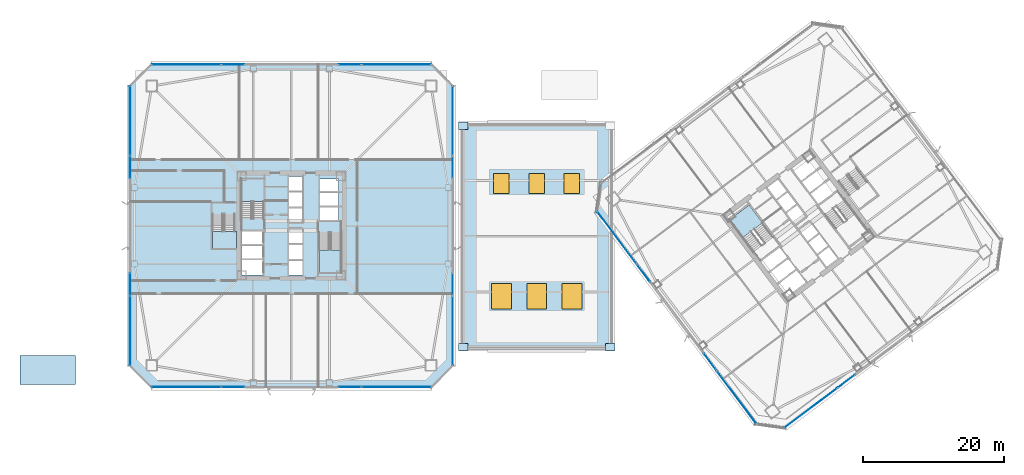
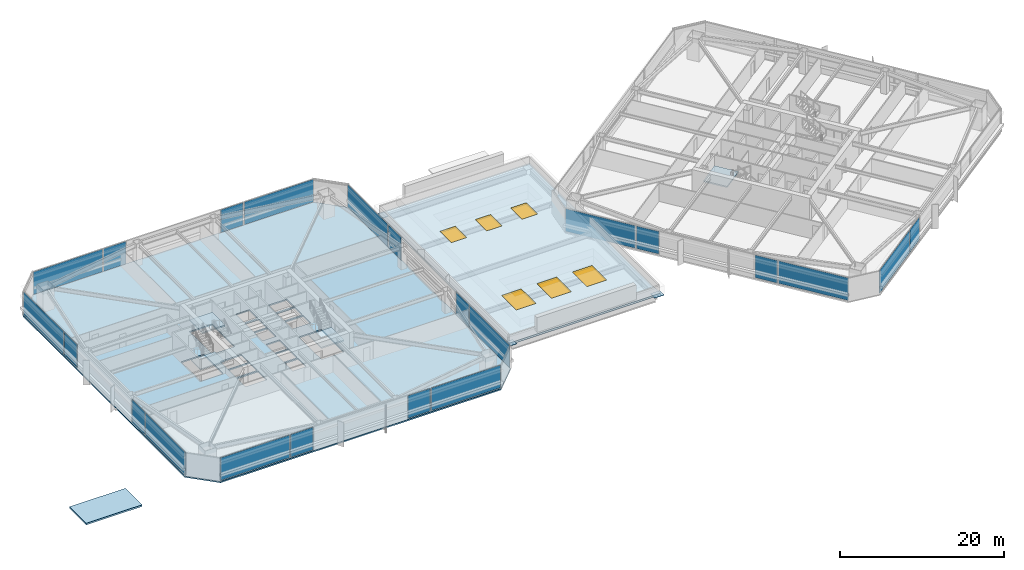
# One storey, part 41 of 62: 25 plates, 7 slabs, 6 windows, 6 openings, 26 elements without a shape of their own.
"""IFC4 building model written with IfcOpenShell, lengths in metres."""

from ifc_helpers import new_model, si_unit, direction, frame, origin, origin_2d, place, context, subcontext, project, spatial, polyline, rectangle, outline, extrude, material, layer, layer_set, type_object, element, fill, aggregate, save


model = new_model("IFC4")

# Units and contexts
model_context = context("Model", 3, precision=1e-05, world=origin(), true_north=direction((0.0, 1.0)))
body_context = subcontext(model_context, "Body", "Model", "MODEL_VIEW")
ifc_project = project(units=[si_unit("LENGTHUNIT", "METRE"), si_unit("AREAUNIT", "SQUARE_METRE"), si_unit("VOLUMEUNIT", "CUBIC_METRE"), si_unit("PLANEANGLEUNIT", "RADIAN"), si_unit("MASSUNIT", "GRAM", prefix="KILO")], contexts=[model_context])

# Site, building, storey
site_placement = place(None, origin())
site = spatial("IfcSite", under=ifc_project, at=site_placement, CompositionType="ELEMENT")
building_placement = place(site_placement, origin())
building = spatial("IfcBuilding", under=site, at=building_placement, Name="Tashvorn Skyway Center", CompositionType="ELEMENT")
storey_placement = place(building_placement, frame((0.0, 0.0, 28.14990234375)))
storey = spatial("IfcBuildingStorey", under=building, at=storey_placement, Name="L06", CompositionType="ELEMENT", Elevation=28.14990234375)

# Curtain wall, plate
ifc_material_1 = material(Name="Thermally broken bronze-anodized aluminium 6063-T6", Category="aluminium")
curtain_wall_type = type_object("IfcCurtainWallType", Name="CW-CW-Z1", PredefinedType="NOTDEFINED", material=ifc_material_1)
curtain_wall_1_placement = place(storey_placement, origin())
curtain_wall_1 = element("IfcCurtainWall", 1, at=curtain_wall_1_placement, inside=storey, type_object=curtain_wall_type, Name="Tower 1 L06 South Unitised Curtain Wall Glazing Group 1", PredefinedType="NOTDEFINED")
ifc_material_2 = material(Name="Low-E solar-control double insulating safety glass", Category="glass")
ifc_layer_1 = layer(ifc_material_2, 0.048095703125)
ifc_layer_set_1 = layer_set([ifc_layer_1], Name="Low-E solar-control double insulating safety glass")
plate_type_1 = type_object("IfcPlateType", Name="CWP-CW-Z1", PredefinedType="CURTAIN_PANEL", material=ifc_layer_set_1)
plate_1_placement = place(storey_placement, frame((56.909912109375, 9.1201171875, 0.085205078125), z_axis=(0.0, 0.0, 1.0), x_axis=(-1.0, 0.0, 0.0)))
plate_1 = element("IfcPlate", 2, at=plate_1_placement, type_object=plate_type_1, Name="CW-Z1 panel 1.1", PredefinedType="CURTAIN_PANEL", context=body_context, shape_type="SweptSolid", body=[
    extrude(rectangle(XDim=9.77001953125, YDim=0.048095703125, at=origin_2d()), origin(), (0.0, 0.0, 1.0), 3.3798828125),
])
aggregate(curtain_wall_1, [plate_1])

curtain_wall_2_placement = place(storey_placement, origin())
curtain_wall_2 = element("IfcCurtainWall", 3, at=curtain_wall_2_placement, inside=storey, type_object=curtain_wall_type, Name="Tower 1 L06 South Unitised Curtain Wall Glazing Group 2", PredefinedType="NOTDEFINED")
plate_2_placement = place(storey_placement, frame((50.283447265625, 9.1201171875, 0.085205078125), z_axis=(0.0, 0.0, 1.0), x_axis=(-1.0, 0.0, 0.0)))
plate_2 = element("IfcPlate", 4, at=plate_2_placement, type_object=plate_type_1, Name="CW-Z1 panel 1.1", PredefinedType="CURTAIN_PANEL", context=body_context, shape_type="SweptSolid", body=[
    extrude(rectangle(XDim=3.143310546875, YDim=0.048095703125, at=origin_2d()), origin(), (0.0, 0.0, 1.0), 3.3798828125),
])
aggregate(curtain_wall_2, [plate_2])

curtain_wall_3_placement = place(storey_placement, origin())
curtain_wall_3 = element("IfcCurtainWall", 5, at=curtain_wall_3_placement, inside=storey, type_object=curtain_wall_type, Name="Tower 1 L06 South Unitised Curtain Wall Glazing Group 3", PredefinedType="NOTDEFINED")
plate_3_placement = place(storey_placement, frame((33.716552734375, 9.1201171875, 0.085205078125), z_axis=(0.0, 0.0, 1.0), x_axis=(-1.0, 0.0, 0.0)))
plate_3 = element("IfcPlate", 6, at=plate_3_placement, type_object=plate_type_1, Name="CW-Z1 panel 1.1", PredefinedType="CURTAIN_PANEL", context=body_context, shape_type="SweptSolid", body=[
    extrude(rectangle(XDim=3.143310546875, YDim=0.048095703125, at=origin_2d()), origin(), (0.0, 0.0, 1.0), 3.3798828125),
])
aggregate(curtain_wall_3, [plate_3])

curtain_wall_4_placement = place(storey_placement, origin())
curtain_wall_4 = element("IfcCurtainWall", 7, at=curtain_wall_4_placement, inside=storey, type_object=curtain_wall_type, Name="Tower 1 L06 South Unitised Curtain Wall Glazing Group 4", PredefinedType="NOTDEFINED")
plate_4_placement = place(storey_placement, frame((27.090087890625, 9.1201171875, 0.085205078125), z_axis=(0.0, 0.0, 1.0), x_axis=(-1.0, 0.0, 0.0)))
plate_4 = element("IfcPlate", 8, at=plate_4_placement, type_object=plate_type_1, Name="CW-Z1 panel 1.1", PredefinedType="CURTAIN_PANEL", context=body_context, shape_type="SweptSolid", body=[
    extrude(rectangle(XDim=9.77001953125, YDim=0.048095703125, at=origin_2d()), origin(), (0.0, 0.0, 1.0), 3.3798828125),
])
aggregate(curtain_wall_4, [plate_4])

curtain_wall_5_placement = place(storey_placement, origin())
curtain_wall_5 = element("IfcCurtainWall", 9, at=curtain_wall_5_placement, inside=storey, type_object=curtain_wall_type, Name="Tower 1 L06 West Unitised Curtain Wall Glazing Group 1", PredefinedType="NOTDEFINED")
plate_5_placement = place(storey_placement, frame((19.1201171875, 17.090087890625, 0.085205078125), z_axis=(0.0, 0.0, 1.0), x_axis=(0.0, 1.0, 0.0)))
plate_5 = element("IfcPlate", 10, at=plate_5_placement, type_object=plate_type_1, Name="CW-Z1 panel 1.1", PredefinedType="CURTAIN_PANEL", context=body_context, shape_type="SweptSolid", body=[
    extrude(rectangle(XDim=9.77001953125, YDim=0.048095703125, at=origin_2d()), origin(), (0.0, 0.0, 1.0), 3.3798828125),
])
aggregate(curtain_wall_5, [plate_5])

curtain_wall_6_placement = place(storey_placement, origin())
curtain_wall_6 = element("IfcCurtainWall", 11, at=curtain_wall_6_placement, inside=storey, type_object=curtain_wall_type, Name="Tower 1 L06 West Unitised Curtain Wall Glazing Group 2", PredefinedType="NOTDEFINED")
plate_6_placement = place(storey_placement, frame((19.1201171875, 23.716552734375, 0.085205078125), z_axis=(0.0, 0.0, 1.0), x_axis=(0.0, 1.0, 0.0)))
plate_6 = element("IfcPlate", 12, at=plate_6_placement, type_object=plate_type_1, Name="CW-Z1 panel 1.1", PredefinedType="CURTAIN_PANEL", context=body_context, shape_type="SweptSolid", body=[
    extrude(rectangle(XDim=3.143310546875, YDim=0.048095703125, at=origin_2d()), origin(), (0.0, 0.0, 1.0), 3.3798828125),
])
aggregate(curtain_wall_6, [plate_6])

curtain_wall_7_placement = place(storey_placement, origin())
curtain_wall_7 = element("IfcCurtainWall", 13, at=curtain_wall_7_placement, inside=storey, type_object=curtain_wall_type, Name="Tower 1 L06 West Unitised Curtain Wall Glazing Group 3", PredefinedType="NOTDEFINED")
plate_7_placement = place(storey_placement, frame((19.1201171875, 40.283447265625, 0.085205078125), z_axis=(0.0, 0.0, 1.0), x_axis=(0.0, 1.0, 0.0)))
plate_7 = element("IfcPlate", 14, at=plate_7_placement, type_object=plate_type_1, Name="CW-Z1 panel 1.1", PredefinedType="CURTAIN_PANEL", context=body_context, shape_type="SweptSolid", body=[
    extrude(rectangle(XDim=3.143310546875, YDim=0.048095703125, at=origin_2d()), origin(), (0.0, 0.0, 1.0), 3.3798828125),
])
aggregate(curtain_wall_7, [plate_7])

curtain_wall_8_placement = place(storey_placement, origin())
curtain_wall_8 = element("IfcCurtainWall", 15, at=curtain_wall_8_placement, inside=storey, type_object=curtain_wall_type, Name="Tower 1 L06 West Unitised Curtain Wall Glazing Group 4", PredefinedType="NOTDEFINED")
plate_8_placement = place(storey_placement, frame((19.1201171875, 46.909912109375, 0.085205078125), z_axis=(0.0, 0.0, 1.0), x_axis=(0.0, 1.0, 0.0)))
plate_8 = element("IfcPlate", 16, at=plate_8_placement, type_object=plate_type_1, Name="CW-Z1 panel 1.1", PredefinedType="CURTAIN_PANEL", context=body_context, shape_type="SweptSolid", body=[
    extrude(rectangle(XDim=9.77001953125, YDim=0.048095703125, at=origin_2d()), origin(), (0.0, 0.0, 1.0), 3.3798828125),
])
aggregate(curtain_wall_8, [plate_8])

curtain_wall_9_placement = place(storey_placement, origin())
curtain_wall_9 = element("IfcCurtainWall", 17, at=curtain_wall_9_placement, inside=storey, type_object=curtain_wall_type, Name="Tower 1 L06 North Unitised Curtain Wall Glazing Group 1", PredefinedType="NOTDEFINED")
plate_9_placement = place(storey_placement, frame((27.090087890625, 54.8798828125, 0.085205078125), z_axis=(0.0, 0.0, 1.0), x_axis=(1.0, 0.0, 0.0)))
plate_9 = element("IfcPlate", 18, at=plate_9_placement, type_object=plate_type_1, Name="CW-Z1 panel 1.1", PredefinedType="CURTAIN_PANEL", context=body_context, shape_type="SweptSolid", body=[
    extrude(rectangle(XDim=9.77001953125, YDim=0.048095703125, at=origin_2d()), origin(), (0.0, 0.0, 1.0), 3.3798828125),
])
aggregate(curtain_wall_9, [plate_9])

curtain_wall_10_placement = place(storey_placement, origin())
curtain_wall_10 = element("IfcCurtainWall", 19, at=curtain_wall_10_placement, inside=storey, type_object=curtain_wall_type, Name="Tower 1 L06 North Unitised Curtain Wall Glazing Group 2", PredefinedType="NOTDEFINED")
plate_10_placement = place(storey_placement, frame((33.716552734375, 54.8798828125, 0.085205078125), z_axis=(0.0, 0.0, 1.0), x_axis=(1.0, 0.0, 0.0)))
plate_10 = element("IfcPlate", 20, at=plate_10_placement, type_object=plate_type_1, Name="CW-Z1 panel 1.1", PredefinedType="CURTAIN_PANEL", context=body_context, shape_type="SweptSolid", body=[
    extrude(rectangle(XDim=3.143310546875, YDim=0.048095703125, at=origin_2d()), origin(), (0.0, 0.0, 1.0), 3.3798828125),
])
aggregate(curtain_wall_10, [plate_10])

curtain_wall_11_placement = place(storey_placement, origin())
curtain_wall_11 = element("IfcCurtainWall", 21, at=curtain_wall_11_placement, inside=storey, type_object=curtain_wall_type, Name="Tower 1 L06 North Unitised Curtain Wall Glazing Group 3", PredefinedType="NOTDEFINED")
plate_11_placement = place(storey_placement, frame((50.283447265625, 54.8798828125, 0.085205078125), z_axis=(0.0, 0.0, 1.0), x_axis=(1.0, 0.0, 0.0)))
plate_11 = element("IfcPlate", 22, at=plate_11_placement, type_object=plate_type_1, Name="CW-Z1 panel 1.1", PredefinedType="CURTAIN_PANEL", context=body_context, shape_type="SweptSolid", body=[
    extrude(rectangle(XDim=3.143310546875, YDim=0.048095703125, at=origin_2d()), origin(), (0.0, 0.0, 1.0), 3.3798828125),
])
aggregate(curtain_wall_11, [plate_11])

curtain_wall_12_placement = place(storey_placement, origin())
curtain_wall_12 = element("IfcCurtainWall", 23, at=curtain_wall_12_placement, inside=storey, type_object=curtain_wall_type, Name="Tower 1 L06 North Unitised Curtain Wall Glazing Group 4", PredefinedType="NOTDEFINED")
plate_12_placement = place(storey_placement, frame((56.909912109375, 54.8798828125, 0.085205078125), z_axis=(0.0, 0.0, 1.0), x_axis=(1.0, 0.0, 0.0)))
plate_12 = element("IfcPlate", 24, at=plate_12_placement, type_object=plate_type_1, Name="CW-Z1 panel 1.1", PredefinedType="CURTAIN_PANEL", context=body_context, shape_type="SweptSolid", body=[
    extrude(rectangle(XDim=9.77001953125, YDim=0.048095703125, at=origin_2d()), origin(), (0.0, 0.0, 1.0), 3.3798828125),
])
aggregate(curtain_wall_12, [plate_12])

curtain_wall_13_placement = place(storey_placement, origin())
curtain_wall_13 = element("IfcCurtainWall", 25, at=curtain_wall_13_placement, inside=storey, type_object=curtain_wall_type, Name="Tower 1 L06 East Unitised Curtain Wall Glazing Group 1", PredefinedType="NOTDEFINED")
plate_13_placement = place(storey_placement, frame((64.8798828125, 46.909912109375, 0.085205078125), z_axis=(0.0, 0.0, 1.0), x_axis=(0.0, -1.0, 0.0)))
plate_13 = element("IfcPlate", 26, at=plate_13_placement, type_object=plate_type_1, Name="CW-Z1 panel 1.1", PredefinedType="CURTAIN_PANEL", context=body_context, shape_type="SweptSolid", body=[
    extrude(rectangle(XDim=9.77001953125, YDim=0.048095703125, at=origin_2d()), origin(), (0.0, 0.0, 1.0), 3.3798828125),
])
aggregate(curtain_wall_13, [plate_13])

curtain_wall_14_placement = place(storey_placement, origin())
curtain_wall_14 = element("IfcCurtainWall", 27, at=curtain_wall_14_placement, inside=storey, type_object=curtain_wall_type, Name="Tower 1 L06 East Unitised Curtain Wall Glazing Group 2", PredefinedType="NOTDEFINED")
plate_14_placement = place(storey_placement, frame((64.8798828125, 40.283447265625, 0.085205078125), z_axis=(0.0, 0.0, 1.0), x_axis=(0.0, -1.0, 0.0)))
plate_14 = element("IfcPlate", 28, at=plate_14_placement, type_object=plate_type_1, Name="CW-Z1 panel 1.1", PredefinedType="CURTAIN_PANEL", context=body_context, shape_type="SweptSolid", body=[
    extrude(rectangle(XDim=3.143310546875, YDim=0.048095703125, at=origin_2d()), origin(), (0.0, 0.0, 1.0), 3.3798828125),
])
aggregate(curtain_wall_14, [plate_14])

curtain_wall_15_placement = place(storey_placement, origin())
curtain_wall_15 = element("IfcCurtainWall", 29, at=curtain_wall_15_placement, inside=storey, type_object=curtain_wall_type, Name="Tower 1 L06 East Unitised Curtain Wall Glazing Group 3", PredefinedType="NOTDEFINED")
plate_15_placement = place(storey_placement, frame((64.8798828125, 23.716552734375, 0.085205078125), z_axis=(0.0, 0.0, 1.0), x_axis=(0.0, -1.0, 0.0)))
plate_15 = element("IfcPlate", 30, at=plate_15_placement, type_object=plate_type_1, Name="CW-Z1 panel 1.1", PredefinedType="CURTAIN_PANEL", context=body_context, shape_type="SweptSolid", body=[
    extrude(rectangle(XDim=3.143310546875, YDim=0.048095703125, at=origin_2d()), origin(), (0.0, 0.0, 1.0), 3.3798828125),
])
aggregate(curtain_wall_15, [plate_15])

curtain_wall_16_placement = place(storey_placement, origin())
curtain_wall_16 = element("IfcCurtainWall", 31, at=curtain_wall_16_placement, inside=storey, type_object=curtain_wall_type, Name="Tower 1 L06 East Unitised Curtain Wall Glazing Group 4", PredefinedType="NOTDEFINED")
plate_16_placement = place(storey_placement, frame((64.8798828125, 17.090087890625, 0.085205078125), z_axis=(0.0, 0.0, 1.0), x_axis=(0.0, -1.0, 0.0)))
plate_16 = element("IfcPlate", 32, at=plate_16_placement, type_object=plate_type_1, Name="CW-Z1 panel 1.1", PredefinedType="CURTAIN_PANEL", context=body_context, shape_type="SweptSolid", body=[
    extrude(rectangle(XDim=9.77001953125, YDim=0.048095703125, at=origin_2d()), origin(), (0.0, 0.0, 1.0), 3.3798828125),
])
aggregate(curtain_wall_16, [plate_16])

curtain_wall_17_placement = place(storey_placement, origin())
curtain_wall_17 = element("IfcCurtainWall", 33, at=curtain_wall_17_placement, inside=storey, type_object=curtain_wall_type, Name="Tower 2 L06 South Unitised Curtain Wall Glazing Group 3", PredefinedType="NOTDEFINED")
plate_17_placement = place(storey_placement, frame((120.714599609375, 9.93603515625, 0.085205078125), z_axis=(0.0, 0.0, 1.0), x_axis=(-0.799996186392, -0.600005084776, 0.0)))
plate_17 = element("IfcPlate", 34, at=plate_17_placement, type_object=plate_type_1, Name="CW-Z1 panel 1.1", PredefinedType="CURTAIN_PANEL", context=body_context, shape_type="SweptSolid", body=[
    extrude(rectangle(XDim=2.9765625, YDim=0.048095703125, at=origin_2d()), origin(), (0.0, 0.0, 1.0), 3.3798828125),
])
aggregate(curtain_wall_17, [plate_17])

curtain_wall_18_placement = place(storey_placement, origin())
curtain_wall_18 = element("IfcCurtainWall", 35, at=curtain_wall_18_placement, inside=storey, type_object=curtain_wall_type, Name="Tower 2 L06 South Unitised Curtain Wall Glazing Group 4", PredefinedType="NOTDEFINED")
plate_18_placement = place(storey_placement, frame((115.679931640625, 6.159912109375, 0.085205078125), z_axis=(0.0, 0.0, 1.0), x_axis=(-0.799999999998, -0.600000000002, 0.0)))
plate_18 = element("IfcPlate", 36, at=plate_18_placement, type_object=plate_type_1, Name="CW-Z1 panel 1.1", PredefinedType="CURTAIN_PANEL", context=body_context, shape_type="SweptSolid", body=[
    extrude(rectangle(XDim=9.27001953125, YDim=0.048095703125, at=origin_2d()), origin(), (0.0, 0.0, 1.0), 3.3798828125),
])
aggregate(curtain_wall_18, [plate_18])

curtain_wall_19_placement = place(storey_placement, origin())
curtain_wall_19 = element("IfcCurtainWall", 37, at=curtain_wall_19_placement, inside=storey, type_object=curtain_wall_type, Name="Tower 2 L06 West Unitised Curtain Wall Glazing Group 1", PredefinedType="NOTDEFINED")
plate_19_placement = place(storey_placement, frame((105.152099609375, 7.6640625, 0.085205078125), z_axis=(0.0, 0.0, 1.0), x_axis=(-0.600000000002, 0.799999999998, 0.0)))
plate_19 = element("IfcPlate", 38, at=plate_19_placement, type_object=plate_type_1, Name="CW-Z1 panel 1.1", PredefinedType="CURTAIN_PANEL", context=body_context, shape_type="SweptSolid", body=[
    extrude(rectangle(XDim=9.27001953125, YDim=0.048095703125, at=origin_2d()), origin(), (0.0, 0.0, 1.0), 3.3798828125),
])
aggregate(curtain_wall_19, [plate_19])

curtain_wall_20_placement = place(storey_placement, origin())
curtain_wall_20 = element("IfcCurtainWall", 39, at=curtain_wall_20_placement, inside=storey, type_object=curtain_wall_type, Name="Tower 2 L06 West Unitised Curtain Wall Glazing Group 2", PredefinedType="NOTDEFINED")
plate_20_placement = place(storey_placement, frame((101.3759765625, 12.69873046875, 0.085205078125), z_axis=(0.0, 0.0, 1.0), x_axis=(-0.600005084776, 0.799996186392, 0.0)))
plate_20 = element("IfcPlate", 40, at=plate_20_placement, type_object=plate_type_1, Name="CW-Z1 panel 1.1", PredefinedType="CURTAIN_PANEL", context=body_context, shape_type="SweptSolid", body=[
    extrude(rectangle(XDim=2.9765625, YDim=0.048095703125, at=origin_2d()), origin(), (0.0, 0.0, 1.0), 3.3798828125),
])
aggregate(curtain_wall_20, [plate_20])

curtain_wall_21_placement = place(storey_placement, origin())
curtain_wall_21 = element("IfcCurtainWall", 41, at=curtain_wall_21_placement, inside=storey, type_object=curtain_wall_type, Name="Tower 2 L06 West Unitised Curtain Wall Glazing Group 3", PredefinedType="NOTDEFINED")
plate_21_placement = place(storey_placement, frame((91.93603515625, 25.285400390625, 0.085205078125), z_axis=(0.0, 0.0, 1.0), x_axis=(-0.600005084776, 0.799996186392, 0.0)))
plate_21 = element("IfcPlate", 42, at=plate_21_placement, type_object=plate_type_1, Name="CW-Z1 panel 1.1", PredefinedType="CURTAIN_PANEL", context=body_context, shape_type="SweptSolid", body=[
    extrude(rectangle(XDim=2.9765625, YDim=0.048095703125, at=origin_2d()), origin(), (0.0, 0.0, 1.0), 3.3798828125),
])
aggregate(curtain_wall_21, [plate_21])

curtain_wall_22_placement = place(storey_placement, origin())
curtain_wall_22 = element("IfcCurtainWall", 43, at=curtain_wall_22_placement, inside=storey, type_object=curtain_wall_type, Name="Tower 2 L06 West Unitised Curtain Wall Glazing Group 4", PredefinedType="NOTDEFINED")
plate_22_placement = place(storey_placement, frame((88.159912109375, 30.320068359375, 0.085205078125), z_axis=(0.0, 0.0, 1.0), x_axis=(-0.600000000002, 0.799999999998, 0.0)))
plate_22 = element("IfcPlate", 44, at=plate_22_placement, type_object=plate_type_1, Name="CW-Z1 panel 1.1", PredefinedType="CURTAIN_PANEL", context=body_context, shape_type="SweptSolid", body=[
    extrude(rectangle(XDim=9.27001953125, YDim=0.048095703125, at=origin_2d()), origin(), (0.0, 0.0, 1.0), 3.3798828125),
])
aggregate(curtain_wall_22, [plate_22])

# Plates
ifc_material_3 = material(Name="Steel ASTM A572 Grade 50", Category="steel")
ifc_layer_2 = layer(ifc_material_3, 0.050048828125)
ifc_layer_set_2 = layer_set([ifc_layer_2], Name="Steel ASTM A572 Grade 50")
plate_type_2 = type_object("IfcPlateType", Name="PLT-ENDCAP-900", PredefinedType="USERDEFINED", material=ifc_layer_set_2)
for number, where, z_axis, x_axis, name in (
    (45, (66.39990234375, 14.800048828125, 1.64013671875), (0.0, 0.0, 1.0), (1.0, 0.0, 0.0), "Monitor Column Cap Plate 1-1"),
    (46, (66.39990234375, 46.199951171875, 1.64013671875), (0.0, 0.0, 1.0), (1.0, 0.0, 0.0), "Monitor Column Cap Plate 1-2"),
    (47, (87.199951171875, 14.800048828125, 1.64013671875), (0.0, 0.0, 1.0), (1.0, 0.0, 0.0), "Monitor Column Cap Plate 2-1"),
):
    element("IfcPlate", number, at=place(storey_placement, frame(where, z_axis=z_axis, x_axis=x_axis)), inside=storey, type_object=plate_type_2, Name=name, ObjectType="END PLATE", PredefinedType="USERDEFINED", context=body_context, shape_type="SweptSolid", body=[
        extrude(rectangle(XDim=1.35009765625, YDim=1.050048828125, at=origin_2d()), origin(), (0.0, 0.0, 1.0), 0.050048828125),
    ])

# Slab
ifc_material_4 = material(Name="Concrete C40/50", Category="concrete")
ifc_layer_3 = layer(ifc_material_4, 0.199951171875)
ifc_layer_set_3 = layer_set([ifc_layer_3], Name="Concrete C40/50")
slab_type_1 = type_object("IfcSlabType", Name="SLAB-FLR-200", PredefinedType="FLOOR", material=ifc_layer_set_3)
slab_1_placement = place(storey_placement, frame((0.0, 0.0, -0.199951171875)))
element("IfcSlab", 48, at=slab_1_placement, inside=storey, type_object=slab_type_1, Name="Tower 1 L06 Composite Floor Slab", PredefinedType="FLOOR", context=body_context, shape_type="SweptSolid", body=[
    extrude(outline(polyline([(22.199951171875, 9.0), (61.800048828125, 9.0), (65.0, 12.199951171875), (65.0, 51.800048828125), (61.800048828125, 55.0), (22.199951171875, 55.0), (19.0, 51.800048828125), (19.0, 12.199951171875), (22.199951171875, 9.0)]), holes=[polyline([(38.10009765625, 33.080078125), (38.10009765625, 38.60009765625), (34.89990234375, 38.60009765625), (34.89990234375, 33.080078125), (38.10009765625, 33.080078125)]), polyline([(45.89990234375, 30.919921875), (45.89990234375, 25.39990234375), (49.10009765625, 25.39990234375), (49.10009765625, 30.919921875), (45.89990234375, 30.919921875)]), polyline([(30.800048828125, 33.52001953125), (30.800048828125, 28.800048828125), (34.0, 28.800048828125), (34.0, 33.52001953125), (30.800048828125, 33.52001953125)]), polyline([(34.949951171875, 29.35009765625), (37.949951171875, 29.35009765625), (37.949951171875, 31.199951171875), (34.949951171875, 31.199951171875), (34.949951171875, 29.35009765625)]), polyline([(34.949951171875, 27.35009765625), (37.949951171875, 27.35009765625), (37.949951171875, 29.199951171875), (34.949951171875, 29.199951171875), (34.949951171875, 27.35009765625)]), polyline([(34.949951171875, 25.0), (37.949951171875, 25.0), (37.949951171875, 27.14990234375), (34.949951171875, 27.14990234375), (34.949951171875, 25.0)]), polyline([(41.64990234375, 25.0), (43.550048828125, 25.0), (43.550048828125, 27.050048828125), (41.64990234375, 27.050048828125), (41.64990234375, 25.0)]), polyline([(41.64990234375, 27.25), (43.550048828125, 27.25), (43.550048828125, 29.300048828125), (41.64990234375, 29.300048828125), (41.64990234375, 27.25)]), polyline([(41.64990234375, 29.5), (43.550048828125, 29.5), (43.550048828125, 31.550048828125), (41.64990234375, 31.550048828125), (41.64990234375, 29.5)]), polyline([(41.64990234375, 32.449951171875), (43.550048828125, 32.449951171875), (43.550048828125, 34.5), (41.64990234375, 34.5), (41.64990234375, 32.449951171875)]), polyline([(41.64990234375, 34.699951171875), (43.550048828125, 34.699951171875), (43.550048828125, 36.75), (41.64990234375, 36.75), (41.64990234375, 34.699951171875)]), polyline([(41.64990234375, 36.949951171875), (43.550048828125, 36.949951171875), (43.550048828125, 39.0), (41.64990234375, 39.0), (41.64990234375, 36.949951171875)]), polyline([(46.050048828125, 32.800048828125), (48.64990234375, 32.800048828125), (48.64990234375, 34.64990234375), (46.050048828125, 34.64990234375), (46.050048828125, 32.800048828125)]), polyline([(46.050048828125, 34.85009765625), (48.64990234375, 34.85009765625), (48.64990234375, 36.699951171875), (46.050048828125, 36.699951171875), (46.050048828125, 34.85009765625)]), polyline([(46.050048828125, 36.89990234375), (48.64990234375, 36.89990234375), (48.64990234375, 38.64990234375), (46.050048828125, 38.64990234375), (46.050048828125, 36.89990234375)])]), origin(), (0.0, 0.0, 1.0), 0.199951171875),
])

# Stair, slab
stair_type = type_object("IfcStairType", Name="STAIR-CORE-1500", PredefinedType="HALF_TURN_STAIR", material=ifc_material_4)
stair_1_placement = place(storey_placement, origin())
stair_1 = element("IfcStair", 49, at=stair_1_placement, inside=storey, type_object=stair_type, Name="L06 Tower 1 Exit Stair 1", PredefinedType="HALF_TURN_STAIR")
ifc_layer_4 = layer(ifc_material_4, 0.199951171875)
ifc_layer_set_4 = layer_set([ifc_layer_4], Name="Concrete C40/50")
slab_type_2 = type_object("IfcSlabType", Name="SLAB-LAND-200", PredefinedType="LANDING", material=ifc_layer_set_4)
slab_2_placement = place(storey_placement, frame((0.0, 0.0, 1.5751953125)))
slab_2 = element("IfcSlab", 50, at=slab_2_placement, type_object=slab_type_2, Name="ST-T1-1 landing 1", PredefinedType="LANDING", context=body_context, shape_type="SweptSolid", body=[
    extrude(outline(polyline([(38.10009765625, 35.43994140625), (38.10009765625, 38.60009765625), (34.89990234375, 38.60009765625), (34.89990234375, 35.43994140625), (38.10009765625, 35.43994140625)])), origin(), (0.0, 0.0, 1.0), 0.199951171875),
])
aggregate(stair_1, [slab_2])

stair_2_placement = place(storey_placement, origin())
stair_2 = element("IfcStair", 51, at=stair_2_placement, inside=storey, type_object=stair_type, Name="L06 Tower 1 Exit Stair 2", PredefinedType="HALF_TURN_STAIR")
slab_3_placement = place(storey_placement, frame((0.0, 0.0, 1.5751953125)))
slab_3 = element("IfcSlab", 52, at=slab_3_placement, type_object=slab_type_2, Name="ST-T1-2 landing 1", PredefinedType="LANDING", context=body_context, shape_type="SweptSolid", body=[
    extrude(outline(polyline([(45.89990234375, 28.56005859375), (45.89990234375, 25.39990234375), (49.10009765625, 25.39990234375), (49.10009765625, 28.56005859375), (45.89990234375, 28.56005859375)])), origin(), (0.0, 0.0, 1.0), 0.199951171875),
])
aggregate(stair_2, [slab_3])

stair_3_placement = place(storey_placement, origin())
stair_3 = element("IfcStair", 53, at=stair_3_placement, inside=storey, type_object=stair_type, Name="L06 Tower 2 Exit Stair 1", PredefinedType="HALF_TURN_STAIR")
slab_4_placement = place(storey_placement, frame((0.0, 0.0, 1.5751953125)))
slab_4 = element("IfcSlab", 54, at=slab_4_placement, type_object=slab_type_2, Name="ST-T2-1 landing 1", PredefinedType="LANDING", context=body_context, shape_type="SweptSolid", body=[
    extrude(outline(polyline([(108.82080078125, 32.405517578125), (106.919921875, 34.93994140625), (104.135986328125, 32.85205078125), (106.036865234375, 30.317626953125), (108.82080078125, 32.405517578125)])), origin(), (0.0, 0.0, 1.0), 0.199951171875),
])
aggregate(stair_3, [slab_4])

stair_4_placement = place(storey_placement, origin())
stair_4 = element("IfcStair", 55, at=stair_4_placement, inside=storey, type_object=stair_type, Name="L06 Tower 1 Exit Stair 3", PredefinedType="HALF_TURN_STAIR")
slab_5_placement = place(storey_placement, frame((0.0, 0.0, 1.5751953125)))
slab_5 = element("IfcSlab", 56, at=slab_5_placement, type_object=slab_type_2, Name="ST-T1-3 landing 1", PredefinedType="LANDING", context=body_context, shape_type="SweptSolid", body=[
    extrude(outline(polyline([(30.800048828125, 31.159912109375), (30.800048828125, 28.800048828125), (34.199951171875, 28.800048828125), (34.199951171875, 31.159912109375), (30.800048828125, 31.159912109375)])), origin(), (0.0, 0.0, 1.0), 0.199951171875),
])
aggregate(stair_4, [slab_5])

# Slab
ifc_layer_5 = layer(ifc_material_4, 0.25)
ifc_layer_set_5 = layer_set([ifc_layer_5], Name="Concrete C40/50")
slab_type_3 = type_object("IfcSlabType", Name="SLAB-ROOF-250", PredefinedType="ROOF", material=ifc_layer_set_5)
slab_6_placement = place(storey_placement, frame((0.0, 0.0, -0.25)))
element("IfcSlab", 57, at=slab_6_placement, inside=storey, type_object=slab_type_3, Name="L05 POD1 Stair Penthouse Roof Slab", PredefinedType="ROOF", context=body_context, shape_type="SweptSolid", body=[
    extrude(outline(polyline([(3.510009765625, 9.510009765625), (11.389892578125, 9.510009765625), (11.389892578125, 13.590087890625), (3.510009765625, 13.590087890625), (3.510009765625, 9.510009765625)])), origin(), (0.0, 0.0, 1.0), 0.25),
])

# Slab, openings, windows
ifc_layer_6 = layer(ifc_material_4, 0.300048828125)
ifc_layer_set_6 = layer_set([ifc_layer_6], Name="Concrete C40/50")
slab_type_4 = type_object("IfcSlabType", Name="SLAB-ROOF-300", PredefinedType="ROOF", material=ifc_layer_set_6)
slab_7_placement = place(storey_placement, frame((0.0, 0.0, 1.650146484375)))
slab_7 = element("IfcSlab", 58, at=slab_7_placement, inside=storey, type_object=slab_type_4, Name="Station Concourse Monitor Hall Roof Slab", PredefinedType="ROOF", context=body_context, shape_type="SweptSolid", body=[
    extrude(outline(polyline([(66.10009765625, 14.5), (87.5, 14.5), (87.5, 46.5), (66.10009765625, 46.5), (66.10009765625, 14.5)])), origin(), (0.0, 0.0, 1.0), 0.300048828125),
])
opening_1_placement = place(slab_7_placement, frame((71.800048828125, 22.0, 0.0)))
opening_1 = element("IfcOpeningElement", 59, at=opening_1_placement, cuts=slab_7, Name="Opening SK-2800", PredefinedType="OPENING", context=body_context, shape_type="SweptSolid", body=[
    extrude(rectangle(XDim=2.800048828125, YDim=3.60009765625, at=origin_2d()), origin(), (0.0, 0.0, 1.0), 0.300048828125),
])
opening_2_placement = place(slab_7_placement, frame((76.800048828125, 22.0, 0.0)))
opening_2 = element("IfcOpeningElement", 60, at=opening_2_placement, cuts=slab_7, Name="Opening SK-2800", PredefinedType="OPENING", context=body_context, shape_type="SweptSolid", body=[
    extrude(rectangle(XDim=2.800048828125, YDim=3.60009765625, at=origin_2d()), origin(), (0.0, 0.0, 1.0), 0.300048828125),
])
opening_3_placement = place(slab_7_placement, frame((81.800048828125, 22.0, 0.0)))
opening_3 = element("IfcOpeningElement", 61, at=opening_3_placement, cuts=slab_7, Name="Opening SK-2800", PredefinedType="OPENING", context=body_context, shape_type="SweptSolid", body=[
    extrude(rectangle(XDim=2.800048828125, YDim=3.60009765625, at=origin_2d()), origin(), (0.0, 0.0, 1.0), 0.300048828125),
])
opening_4_placement = place(slab_7_placement, frame((71.800048828125, 38.0, 0.0)))
opening_4 = element("IfcOpeningElement", 62, at=opening_4_placement, cuts=slab_7, Name="Opening SK-2200", PredefinedType="OPENING", context=body_context, shape_type="SweptSolid", body=[
    extrude(rectangle(XDim=2.199951171875, YDim=2.800048828125, at=origin_2d()), origin(), (0.0, 0.0, 1.0), 0.300048828125),
])
opening_5_placement = place(slab_7_placement, frame((76.800048828125, 38.0, 0.0)))
opening_5 = element("IfcOpeningElement", 63, at=opening_5_placement, cuts=slab_7, Name="Opening SK-2200", PredefinedType="OPENING", context=body_context, shape_type="SweptSolid", body=[
    extrude(rectangle(XDim=2.199951171875, YDim=2.800048828125, at=origin_2d()), origin(), (0.0, 0.0, 1.0), 0.300048828125),
])
opening_6_placement = place(slab_7_placement, frame((81.800048828125, 38.0, 0.0)))
opening_6 = element("IfcOpeningElement", 64, at=opening_6_placement, cuts=slab_7, Name="Opening SK-2200", PredefinedType="OPENING", context=body_context, shape_type="SweptSolid", body=[
    extrude(rectangle(XDim=2.199951171875, YDim=2.800048828125, at=origin_2d()), origin(), (0.0, 0.0, 1.0), 0.300048828125),
])
window_type_1 = type_object("IfcWindowType", Name="SKY-CONC-2800", PartitioningType="SINGLE_PANEL", PredefinedType="SKYLIGHT", material=ifc_material_2)
window_1_placement = place(opening_1_placement, frame((0.0, 0.0, 0.25)))
window_1 = element("IfcWindow", 65, at=window_1_placement, inside=storey, type_object=window_type_1, Name="Station Concourse Monitor Daylight Skylight 01", OverallHeight=3.60009765625, OverallWidth=2.800048828125, PartitioningType="SINGLE_PANEL", PredefinedType="SKYLIGHT", context=body_context, shape_type="SweptSolid", body=[
    extrude(rectangle(XDim=2.800048828125, YDim=3.60009765625, at=origin_2d()), origin(), (0.0, 0.0, 1.0), 0.050048828125),
])
fill(opening_1, window_1)
window_2_placement = place(opening_2_placement, frame((0.0, 0.0, 0.25)))
window_2 = element("IfcWindow", 66, at=window_2_placement, inside=storey, type_object=window_type_1, Name="Station Concourse Monitor Daylight Skylight 02", OverallHeight=3.60009765625, OverallWidth=2.800048828125, PartitioningType="SINGLE_PANEL", PredefinedType="SKYLIGHT", context=body_context, shape_type="SweptSolid", body=[
    extrude(rectangle(XDim=2.800048828125, YDim=3.60009765625, at=origin_2d()), origin(), (0.0, 0.0, 1.0), 0.050048828125),
])
fill(opening_2, window_2)
window_3_placement = place(opening_3_placement, frame((0.0, 0.0, 0.25)))
window_3 = element("IfcWindow", 67, at=window_3_placement, inside=storey, type_object=window_type_1, Name="Station Concourse Monitor Daylight Skylight 03", OverallHeight=3.60009765625, OverallWidth=2.800048828125, PartitioningType="SINGLE_PANEL", PredefinedType="SKYLIGHT", context=body_context, shape_type="SweptSolid", body=[
    extrude(rectangle(XDim=2.800048828125, YDim=3.60009765625, at=origin_2d()), origin(), (0.0, 0.0, 1.0), 0.050048828125),
])
fill(opening_3, window_3)
window_type_2 = type_object("IfcWindowType", Name="SKY-GARD-2200", PartitioningType="SINGLE_PANEL", PredefinedType="SKYLIGHT", material=ifc_material_2)
window_4_placement = place(opening_4_placement, frame((0.0, 0.0, 0.25)))
window_4 = element("IfcWindow", 68, at=window_4_placement, inside=storey, type_object=window_type_2, Name="Station Concourse Monitor Daylight Skylight 04", OverallHeight=2.800048828125, OverallWidth=2.199951171875, PartitioningType="SINGLE_PANEL", PredefinedType="SKYLIGHT", context=body_context, shape_type="SweptSolid", body=[
    extrude(rectangle(XDim=2.199951171875, YDim=2.800048828125, at=origin_2d()), origin(), (0.0, 0.0, 1.0), 0.050048828125),
])
fill(opening_4, window_4)
window_5_placement = place(opening_5_placement, frame((0.0, 0.0, 0.25)))
window_5 = element("IfcWindow", 69, at=window_5_placement, inside=storey, type_object=window_type_2, Name="Station Concourse Monitor Daylight Skylight 05", OverallHeight=2.800048828125, OverallWidth=2.199951171875, PartitioningType="SINGLE_PANEL", PredefinedType="SKYLIGHT", context=body_context, shape_type="SweptSolid", body=[
    extrude(rectangle(XDim=2.199951171875, YDim=2.800048828125, at=origin_2d()), origin(), (0.0, 0.0, 1.0), 0.050048828125),
])
fill(opening_5, window_5)
window_6_placement = place(opening_6_placement, frame((0.0, 0.0, 0.25)))
window_6 = element("IfcWindow", 70, at=window_6_placement, inside=storey, type_object=window_type_2, Name="Station Concourse Monitor Daylight Skylight 06", OverallHeight=2.800048828125, OverallWidth=2.199951171875, PartitioningType="SINGLE_PANEL", PredefinedType="SKYLIGHT", context=body_context, shape_type="SweptSolid", body=[
    extrude(rectangle(XDim=2.199951171875, YDim=2.800048828125, at=origin_2d()), origin(), (0.0, 0.0, 1.0), 0.050048828125),
])
fill(opening_6, window_6)

save(model, "model.ifc")
